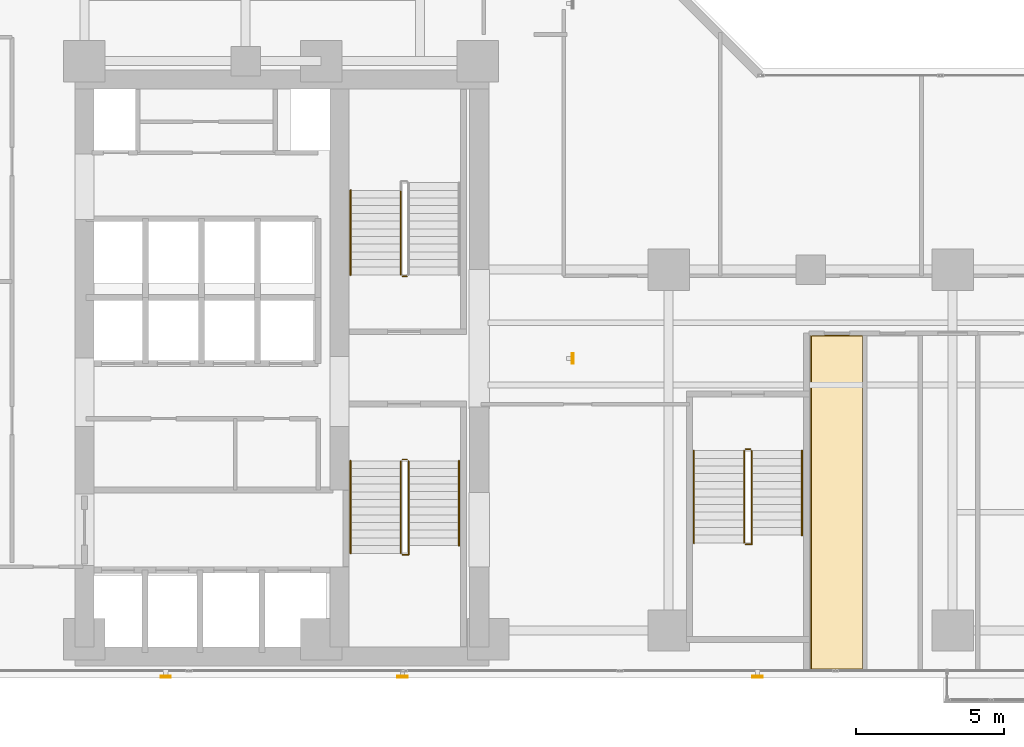
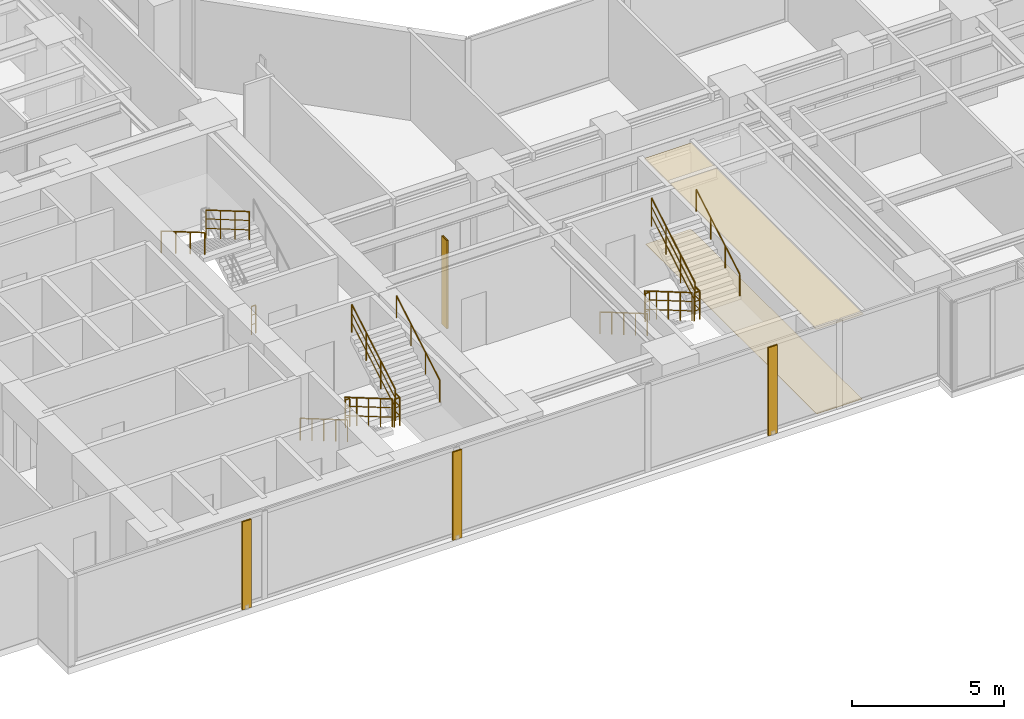
# One storey, part 24 of 27: 15 railings, 4 shading devices, 2 coverings.
"""IFC4 building model written with IfcOpenShell, lengths in metres."""

import ifcopenshell
import ifcopenshell.guid

model = None  # the IFC model being written
_history = None  # IfcOwnerHistory: only IFC2X3 demands one
_inside = {}  # id of a spatial element -> (the spatial element, [elements in it])
_under = {}  # id of a project, library or spatial element -> (it, [spatial elements below it])
_declared = {}  # id of a project -> (the project, [libraries it declares])
_typed = {}  # id of a type object -> (the type object, [elements of that type])
_made_of = {}  # id of a material, layer set ... -> (it, [elements and type objects made of it])


def new_model(schema):
    """Start an empty IFC model of exactly this schema.

    Asked for "IFC4X3", IfcOpenShell would pick the latest addendum, in which some entities
    have other attributes; the version numbers below select the first issue.
    IFC2X3 requires an IfcOwnerHistory on every rooted entity: one is made here for all.
    """
    global model, _history
    if schema == "IFC4X3":
        model = ifcopenshell.file(schema_version=(4, 3, 0, 0))
    else:
        model = ifcopenshell.file(schema=schema)
    _inside.clear()
    _under.clear()
    _declared.clear()
    _typed.clear()
    _made_of.clear()
    _history = None
    if model.schema == "IFC2X3":
        org = make("IfcOrganization", Name="unknown")
        user = make(
            "IfcPersonAndOrganization",
            ThePerson=make("IfcPerson", FamilyName="unknown"),
            TheOrganization=org,
        )
        app = make(
            "IfcApplication",
            ApplicationDeveloper=org,
            Version="unknown",
            ApplicationFullName="unknown",
            ApplicationIdentifier="unknown",
        )
        _history = make(
            "IfcOwnerHistory",
            OwningUser=user,
            OwningApplication=app,
            ChangeAction="ADDED",
            CreationDate=0,
        )
    return model


def make(cls, **values):
    """One entity of the class cls with the attributes given. An attribute that is None is left unset."""
    return model.create_entity(
        cls, **{name: value for name, value in values.items() if value is not None}
    )


def rooted(cls, **values):
    """An entity with a GlobalId (a new one), such as an element, a storey or a relation."""
    return make(cls, GlobalId=ifcopenshell.guid.new(), OwnerHistory=_history, **values)


def si_unit(unit_type, name, prefix=None):
    """IfcSIUnit, for example si_unit("LENGTHUNIT", "METRE", prefix="MILLI")."""
    return make("IfcSIUnit", UnitType=unit_type, Prefix=prefix, Name=name)


def assignment(units):
    """IfcUnitAssignment: the units of a project."""
    return None if units is None else make("IfcUnitAssignment", Units=units)


def point(xyz):
    """IfcCartesianPoint."""
    return None if xyz is None else make("IfcCartesianPoint", Coordinates=xyz)


def direction(xyz):
    """IfcDirection."""
    return None if xyz is None else make("IfcDirection", DirectionRatios=xyz)


def frame(location, z_axis=None, x_axis=None):
    """IfcAxis2Placement3D, a coordinate frame: its origin and axes. An axis left out is left unset."""
    return make(
        "IfcAxis2Placement3D",
        Location=point(location),
        Axis=direction(z_axis),
        RefDirection=direction(x_axis),
    )


def frame_2d(location, x_axis=None):
    """IfcAxis2Placement2D, a coordinate frame in the plane: its origin and x axis."""
    return make(
        "IfcAxis2Placement2D", Location=point(location), RefDirection=direction(x_axis)
    )


def origin():
    """The frame at (0, 0, 0) with its axes left unset."""
    return frame((0.0, 0.0, 0.0))


def origin_2d():
    """The frame at (0, 0) in the plane with its x axis left unset."""
    return frame_2d((0.0, 0.0))


def place(relative_to, where):
    """IfcLocalPlacement: puts the frame where relative to a parent placement (None: the world)."""
    return make(
        "IfcLocalPlacement", PlacementRelTo=relative_to, RelativePlacement=where
    )


def context(
    kind, dimensions, precision=None, world=None, true_north=None, identifier=None
):
    """IfcGeometricRepresentationContext, for example the 3D "Model" context."""
    return make(
        "IfcGeometricRepresentationContext",
        ContextIdentifier=identifier,
        ContextType=kind,
        CoordinateSpaceDimension=dimensions,
        Precision=precision,
        WorldCoordinateSystem=world,
        TrueNorth=true_north,
    )


def subcontext(parent, identifier, kind, view, scale=None):
    """IfcGeometricRepresentationSubContext, for example "Body" below "Model"."""
    return make(
        "IfcGeometricRepresentationSubContext",
        ContextIdentifier=identifier,
        ContextType=kind,
        ParentContext=parent,
        TargetScale=scale,
        TargetView=view,
    )


def project(units=None, contexts=None):
    """IfcProject with its units and contexts."""
    return rooted(
        "IfcProject",
        Name="project",
        RepresentationContexts=contexts,
        UnitsInContext=assignment(units),
    )


def spatial(cls, under=None, at=None, **own):
    """A site, building, storey or space (cls), placed at a placement, below another one or the project."""
    s = rooted(cls, ObjectPlacement=at, **own)
    if under is not None:
        _under.setdefault(under.id(), (under, []))[1].append(s)
    return s


def polyline(points):
    """IfcPolyline through the points."""
    return make("IfcPolyline", Points=[point(p) for p in points])


def profile(cls, at=None, kind="AREA", **sizes):
    """A parametric profile (cls). Its sizes go by their IFC names, for example OverallWidth=200.0."""
    return make(cls, ProfileType=kind, Position=at, **sizes)


def hollow_rectangle(**sizes):
    """IfcRectangleHollowProfileDef."""
    return profile("IfcRectangleHollowProfileDef", **sizes)


def circle(**sizes):
    """IfcCircleProfileDef."""
    return profile("IfcCircleProfileDef", **sizes)


def outline(outer, holes=None, kind="AREA"):
    """IfcArbitraryClosedProfileDef: a profile drawn as a closed curve; with holes, ...WithVoids."""
    if holes is None:
        return make("IfcArbitraryClosedProfileDef", ProfileType=kind, OuterCurve=outer)
    return make(
        "IfcArbitraryProfileDefWithVoids",
        ProfileType=kind,
        OuterCurve=outer,
        InnerCurves=holes,
    )


def extrude(swept, where, along, depth):
    """IfcExtrudedAreaSolid: the profile swept, set in the frame where, extruded along a direction by depth."""
    return make(
        "IfcExtrudedAreaSolid",
        SweptArea=swept,
        Position=where,
        ExtrudedDirection=direction(along),
        Depth=depth,
    )


def shape(context_of_items, identifier, shape_type, items):
    """IfcShapeRepresentation: the items that make up one representation, for example the "Body"."""
    return make(
        "IfcShapeRepresentation",
        ContextOfItems=context_of_items,
        RepresentationIdentifier=identifier,
        RepresentationType=shape_type,
        Items=items,
    )


def material(Name=None, Category=None):
    """IfcMaterial."""
    return make("IfcMaterial", Name=Name, Category=Category)


def layer(
    of_material, thickness, ventilated=None, Name=None, Category=None, Priority=None
):
    """IfcMaterialLayer: one layer of a wall or slab, of a material (None: an air gap)."""
    return make(
        "IfcMaterialLayer",
        Material=of_material,
        LayerThickness=thickness,
        IsVentilated=ventilated,
        Name=Name,
        Category=Category,
        Priority=Priority,
    )


def layer_set(layers, Name=None):
    """IfcMaterialLayerSet."""
    return make("IfcMaterialLayerSet", MaterialLayers=layers, LayerSetName=Name)


def material_profile(
    of_material, cross_section, Name=None, Category=None, Priority=None
):
    """IfcMaterialProfile: a cross section and its material."""
    return make(
        "IfcMaterialProfile",
        Name=Name,
        Material=of_material,
        Profile=cross_section,
        Priority=Priority,
        Category=Category,
    )


def profile_set(profiles, Name=None, composite=None):
    """IfcMaterialProfileSet."""
    return make(
        "IfcMaterialProfileSet",
        Name=Name,
        MaterialProfiles=profiles,
        CompositeProfile=composite,
    )


def made_of(thing, what):
    """Note that an element or type object is made of a material, layer set ...; save() writes the relation."""
    if what is not None:
        _made_of.setdefault(what.id(), (what, []))[1].append(thing)
    return thing


def type_object(cls, material=None, **own):
    """A type object (cls), such as IfcWallType, which elements share."""
    return made_of(rooted(cls, **own), material)


def element(
    cls,
    number,
    at=None,
    inside=None,
    cuts=None,
    type_object=None,
    material=None,
    context=None,
    identifier="Body",
    shape_type=None,
    held_by="IfcProductDefinitionShape",
    body=None,
    shapes=None,
    **own,
):
    """One element of the class cls, such as IfcWall. Its Tag is "e" and its number.

    at: its placement. inside: the storey or other place that contains it. cuts: it is an
    opening in that element (IfcRelVoidsElement). A single representation is given by context,
    identifier, shape_type and body (its items); several are given by shapes. held_by: the class
    of the entity that holds the representations. save() writes the other relations.
    """
    e = rooted(cls, Tag="e%d" % number, ObjectPlacement=at, **own)
    if body is not None:
        shapes = [shape(context, identifier, shape_type, body)]
    if shapes is not None:
        e.Representation = make(held_by, Representations=shapes)
    if inside is not None:
        _inside.setdefault(inside.id(), (inside, []))[1].append(e)
    if cuts is not None:
        rooted(
            "IfcRelVoidsElement", RelatingBuildingElement=cuts, RelatedOpeningElement=e
        )
    if type_object is not None:
        _typed.setdefault(type_object.id(), (type_object, []))[1].append(e)
    return made_of(e, material)


def aggregate(whole, parts):
    """IfcRelAggregates: a whole, such as a stair, and the parts it consists of."""
    return rooted("IfcRelAggregates", RelatingObject=whole, RelatedObjects=parts)


def save(model, path):
    """Write the relations noted so far, then the file.

    IfcRelAggregates (storeys below a building ...), IfcRelContainedInSpatialStructure (elements
    in a storey), IfcRelDefinesByType, IfcRelAssociatesMaterial and IfcRelDeclares: one each for
    every whole, place, type object, material and project.
    """
    for whole, parts in _under.values():
        aggregate(whole, parts)
    for where, things in _inside.values():
        rooted(
            "IfcRelContainedInSpatialStructure",
            RelatedElements=things,
            RelatingStructure=where,
        )
    for kind, things in _typed.values():
        rooted("IfcRelDefinesByType", RelatedObjects=things, RelatingType=kind)
    for what, things in _made_of.values():
        rooted("IfcRelAssociatesMaterial", RelatedObjects=things, RelatingMaterial=what)
    for by, libraries in _declared.values():
        rooted("IfcRelDeclares", RelatingContext=by, RelatedDefinitions=libraries)
    model.write(path)


model = new_model("IFC4")

# Units and contexts
model_context = context("Model", 3, precision=1e-05, world=origin(), true_north=direction((0.0, 1.0)))
body_context = subcontext(model_context, "Body", "Model", "MODEL_VIEW")
ifc_project = project(units=[si_unit("LENGTHUNIT", "METRE"), si_unit("AREAUNIT", "SQUARE_METRE"), si_unit("VOLUMEUNIT", "CUBIC_METRE"), si_unit("PLANEANGLEUNIT", "RADIAN"), si_unit("MASSUNIT", "GRAM", prefix="KILO")], contexts=[model_context])

# Site, building, storey
site_placement = place(None, origin())
site = spatial("IfcSite", under=ifc_project, at=site_placement, CompositionType="ELEMENT")
building_placement = place(site_placement, origin())
building = spatial("IfcBuilding", under=site, at=building_placement, Name="Kolvaren Waterfront Exchange", CompositionType="ELEMENT")
storey_placement = place(building_placement, frame((0.0, 0.0, 118.300048828125)))
storey = spatial("IfcBuildingStorey", under=building, at=storey_placement, Name="L30", CompositionType="ELEMENT", Elevation=118.300048828125)

# Covering
ifc_material_1 = material(Name="Mineral fibre acoustic ceiling tile")
ifc_layer_1 = layer(ifc_material_1, 0.02490234375, Name="Mineral fibre acoustic ceiling tile")
ifc_layer_set_1 = layer_set([ifc_layer_1], Name="Mineral fibre acoustic ceiling tile")
covering_type_1 = type_object("IfcCoveringType", Name="ARC-CEIL-ACOUSTIC-25", PredefinedType="CEILING", material=ifc_layer_set_1)
covering_1_placement = place(storey_placement, frame((0.0, 0.0, 3.425048828125)))
element("IfcCovering", 1, at=covering_1_placement, inside=storey, type_object=covering_type_1, Name="L30 acoustic suspended ceiling 2", PredefinedType="CEILING", context=body_context, shape_type="SweptSolid", body=[
    extrude(outline(polyline([(33.784912109375, 3.864990234375), (33.784912109375, 15.195068359375), (31.9951171875, 15.195068359375), (31.9951171875, 13.35009765625), (32.0, 13.35009765625), (32.0, 4.800048828125), (31.9951171875, 4.800048828125), (31.9951171875, 3.864990234375), (33.784912109375, 3.864990234375)])), origin(), (0.0, 0.0, 1.0), 0.02490234375),
])

# Shading devices
ifc_material_2 = material(Name="Anodised bronze aluminium 6063-T6", Category="aluminium")
ifc_material_profile = material_profile(ifc_material_2, hollow_rectangle(XDim=0.06005859375, YDim=0.35009765625, WallThickness=0.0048828125, at=origin_2d()), Name="BRZ-FIN-350x60x5")
ifc_profile_set = profile_set([ifc_material_profile], Name="Anodised bronze aluminium 6063-T6")
shading_device_type = type_object("IfcShadingDeviceType", Name="ARC-FIN-350", PredefinedType="USERDEFINED", material=ifc_profile_set)
for number, where, z_axis, x_axis, name in (
    (2, (10.199951171875, 3.639892578125, 0.0), (0.0, 0.0, 1.0), (0.0, -1.0, 0.0), "L30 anodised bronze solar shading fin FIN-L30-S1"),
    (3, (18.199951171875, 3.639892578125, 0.0), (0.0, 0.0, 1.0), (0.0, -1.0, 0.0), "L30 anodised bronze solar shading fin FIN-L30-S2"),
    (4, (30.199951171875, 3.639892578125, 0.0), (0.0, 0.0, 1.0), (0.0, -1.0, 0.0), "L30 anodised bronze solar shading fin FIN-L30-S3"),
    (5, (23.9599609375, 14.39990234375, 0.0), (0.0, 0.0, 1.0), (1.0, 0.0, 0.0), "L30 anodised bronze solar shading fin FIN-L30-E1"),
):
    element("IfcShadingDevice", number, at=place(storey_placement, frame(where, z_axis=z_axis, x_axis=x_axis)), inside=storey, type_object=shading_device_type, Name=name, ObjectType="SOLAR FIN", PredefinedType="USERDEFINED", context=body_context, shape_type="SweptSolid", body=[
        extrude(hollow_rectangle(XDim=0.06005859375, YDim=0.35009765625, WallThickness=0.0048828125, at=origin_2d()), origin(), (0.0, 0.0, 1.0), 3.5400390625),
    ])

# Covering
ifc_material_3 = material(Name="Slip-resistant porcelain tile")
ifc_layer_2 = layer(ifc_material_3, 0.014892578125, Name="Slip-resistant porcelain tile")
ifc_layer_set_2 = layer_set([ifc_layer_2], Name="Slip-resistant porcelain tile")
covering_type_2 = type_object("IfcCoveringType", Name="ARC-FLR-PORC-15", PredefinedType="FLOORING", material=ifc_layer_set_2)
covering_2_placement = place(storey_placement, origin())
element("IfcCovering", 6, at=covering_2_placement, inside=storey, type_object=covering_type_2, Name="L30 floor finish 2", PredefinedType="FLOORING", context=body_context, shape_type="SweptSolid", body=[
    extrude(outline(polyline([(32.030029296875, 15.159912109375), (32.030029296875, 3.89990234375), (33.75, 3.89990234375), (33.75, 15.159912109375), (32.030029296875, 15.159912109375)])), origin(), (0.0, 0.0, 1.0), 0.014892578125),
])

# Railings
ifc_material_4 = material(Name="Stainless steel 316", Category="steel")
railing_type_1 = type_object("IfcRailingType", Name="ARC-GUARD-STAIR", PredefinedType="GUARDRAIL", material=ifc_material_4)
railing_1_placement = place(storey_placement, frame((18.14990234375, 10.929931640625, 0.15185546875)))
element("IfcRailing", 7, at=railing_1_placement, inside=storey, type_object=railing_type_1, Name="L30 ST1 stair guard 1", PredefinedType="GUARDRAIL", context=body_context, shape_type="SweptSolid", body=[
    extrude(circle(Radius=0.02392578125, at=origin_2d()), frame((0.0, 0.0, 1.1259765625), z_axis=(0.0, -0.86329090724, 0.504706656858), x_axis=(1.0, 0.0, 0.0)), (0.0, 0.0, 1.0), 3.614013671875),
    extrude(circle(Radius=0.01611328125, at=origin_2d()), frame((0.0, 0.0, 0.390869140625), z_axis=(0.0, -0.86329090724, 0.504706656858), x_axis=(1.0, 0.0, 0.0)), (0.0, 0.0, 1.0), 3.614013671875),
    extrude(circle(Radius=0.01611328125, at=origin_2d()), frame((0.0, 0.0, 0.7705078125), z_axis=(0.0, -0.86329090724, 0.504706656858), x_axis=(1.0, 0.0, 0.0)), (0.0, 0.0, 1.0), 3.614013671875),
    extrude(circle(Radius=0.02099609375, at=origin_2d()), origin(), (0.0, 0.0, 1.0), 1.101806640625),
    extrude(circle(Radius=0.02099609375, at=origin_2d()), frame((0.0, -0.780029296875, 0.4560546875)), (0.0, 0.0, 1.0), 1.101806640625),
    extrude(circle(Radius=0.02099609375, at=origin_2d()), frame((0.0, -1.56005859375, 0.912109375)), (0.0, 0.0, 1.0), 1.101806640625),
    extrude(circle(Radius=0.02099609375, at=origin_2d()), frame((0.0, -2.33984375, 1.367919921875)), (0.0, 0.0, 1.0), 1.101806640625),
    extrude(circle(Radius=0.02099609375, at=origin_2d()), frame((0.0, -3.119873046875, 1.823974609375)), (0.0, 0.0, 1.0), 1.101806640625),
])
railing_2_placement = place(storey_placement, frame((18.199951171875, 7.760009765625, 1.975830078125)))
element("IfcRailing", 8, at=railing_2_placement, inside=storey, type_object=railing_type_1, Name="L30 ST1 stair guard 2", PredefinedType="GUARDRAIL", context=body_context, shape_type="SweptSolid", body=[
    extrude(circle(Radius=0.02392578125, at=origin_2d()), frame((0.0, 0.0, 1.1259765625), z_axis=(1.0, 0.0, 0.0), x_axis=(0.0, 1.0, 0.0)), (0.0, 0.0, 1.0), 0.2099609375),
    extrude(circle(Radius=0.01611328125, at=origin_2d()), frame((0.0, 0.0, 0.390869140625), z_axis=(1.0, 0.0, 0.0), x_axis=(0.0, 1.0, 0.0)), (0.0, 0.0, 1.0), 0.2099609375),
    extrude(circle(Radius=0.01611328125, at=origin_2d()), frame((0.0, 0.0, 0.7705078125), z_axis=(1.0, 0.0, 0.0), x_axis=(0.0, 1.0, 0.0)), (0.0, 0.0, 1.0), 0.2099609375),
    extrude(circle(Radius=0.02392578125, at=origin_2d()), frame((0.2099609375, 0.0, 1.1259765625), z_axis=(0.0, 1.0, 0.0), x_axis=(-1.0, 0.0, 0.0)), (0.0, 0.0, 1.0), 0.31005859375),
    extrude(circle(Radius=0.01611328125, at=origin_2d()), frame((0.2099609375, 0.0, 0.390869140625), z_axis=(0.0, 1.0, 0.0), x_axis=(-1.0, 0.0, 0.0)), (0.0, 0.0, 1.0), 0.31005859375),
    extrude(circle(Radius=0.01611328125, at=origin_2d()), frame((0.2099609375, 0.0, 0.7705078125), z_axis=(0.0, 1.0, 0.0), x_axis=(-1.0, 0.0, 0.0)), (0.0, 0.0, 1.0), 0.31005859375),
    extrude(circle(Radius=0.02099609375, at=origin_2d()), origin(), (0.0, 0.0, 1.0), 1.101806640625),
    extrude(circle(Radius=0.02099609375, at=origin_2d()), frame((0.2099609375, 0.0, 0.0)), (0.0, 0.0, 1.0), 1.101806640625),
    extrude(circle(Radius=0.02099609375, at=origin_2d()), frame((0.2099609375, 0.31005859375, 0.0)), (0.0, 0.0, 1.0), 1.101806640625),
])
railing_3_placement = place(storey_placement, frame((18.409912109375, 8.070068359375, 2.1279296875)))
element("IfcRailing", 9, at=railing_3_placement, inside=storey, type_object=railing_type_1, Name="L30 ST1 stair guard 3", PredefinedType="GUARDRAIL", context=body_context, shape_type="SweptSolid", body=[
    extrude(circle(Radius=0.02392578125, at=origin_2d()), frame((0.0, 0.0, 1.1259765625), z_axis=(0.0, 0.863270611444, 0.50474137082), x_axis=(-1.0, 0.0, 0.0)), (0.0, 0.0, 1.0), 3.312744140625),
    extrude(circle(Radius=0.01611328125, at=origin_2d()), frame((0.0, 0.0, 0.390869140625), z_axis=(0.0, 0.863270611444, 0.50474137082), x_axis=(-1.0, 0.0, 0.0)), (0.0, 0.0, 1.0), 3.312744140625),
    extrude(circle(Radius=0.01611328125, at=origin_2d()), frame((0.0, 0.0, 0.7705078125), z_axis=(0.0, 0.863270611444, 0.50474137082), x_axis=(-1.0, 0.0, 0.0)), (0.0, 0.0, 1.0), 3.312744140625),
    extrude(circle(Radius=0.02099609375, at=origin_2d()), origin(), (0.0, 0.0, 1.0), 1.101806640625),
    extrude(circle(Radius=0.02099609375, at=origin_2d()), frame((0.0, 0.953369140625, 0.557373046875)), (0.0, 0.0, 1.0), 1.101806640625),
    extrude(circle(Radius=0.02099609375, at=origin_2d()), frame((0.0, 1.906494140625, 1.11474609375)), (0.0, 0.0, 1.0), 1.101806640625),
    extrude(circle(Radius=0.02099609375, at=origin_2d()), frame((0.0, 2.85986328125, 1.672119140625)), (0.0, 0.0, 1.0), 1.101806640625),
])
railing_4_placement = place(storey_placement, frame((18.199951171875, 10.97998046875, 0.0)))
element("IfcRailing", 10, at=railing_4_placement, inside=storey, type_object=railing_type_1, Name="L30 ST1 stair guard 4", PredefinedType="GUARDRAIL", context=body_context, shape_type="SweptSolid", body=[
    extrude(circle(Radius=0.02392578125, at=origin_2d()), frame((0.0, 0.0, 1.1259765625), z_axis=(1.0, 0.0, 0.0), x_axis=(0.0, 1.0, 0.0)), (0.0, 0.0, 1.0), 0.16015625),
    extrude(circle(Radius=0.01611328125, at=origin_2d()), frame((0.0, 0.0, 0.390869140625), z_axis=(1.0, 0.0, 0.0), x_axis=(0.0, 1.0, 0.0)), (0.0, 0.0, 1.0), 0.16015625),
    extrude(circle(Radius=0.01611328125, at=origin_2d()), frame((0.0, 0.0, 0.7705078125), z_axis=(1.0, 0.0, 0.0), x_axis=(0.0, 1.0, 0.0)), (0.0, 0.0, 1.0), 0.16015625),
    extrude(circle(Radius=0.02099609375, at=origin_2d()), origin(), (0.0, 0.0, 1.0), 1.101806640625),
    extrude(circle(Radius=0.02099609375, at=origin_2d()), frame((0.16015625, 0.0, 0.0)), (0.0, 0.0, 1.0), 1.101806640625),
])
railing_5_placement = place(storey_placement, frame((18.14990234375, 20.080078125, 2.1279296875)))
element("IfcRailing", 11, at=railing_5_placement, inside=storey, type_object=railing_type_1, Name="L30 ST2 stair guard 3", PredefinedType="GUARDRAIL", context=body_context, shape_type="SweptSolid", body=[
    extrude(circle(Radius=0.02392578125, at=origin_2d()), frame((0.0, 0.0, 1.1259765625), z_axis=(0.0, -0.863289384635, 0.504709261235), x_axis=(1.0, 0.0, 0.0)), (0.0, 0.0, 1.0), 3.31298828125),
    extrude(circle(Radius=0.01611328125, at=origin_2d()), frame((0.0, 0.0, 0.390869140625), z_axis=(0.0, -0.863289384635, 0.504709261235), x_axis=(1.0, 0.0, 0.0)), (0.0, 0.0, 1.0), 3.31298828125),
    extrude(circle(Radius=0.01611328125, at=origin_2d()), frame((0.0, 0.0, 0.7705078125), z_axis=(0.0, -0.863289384635, 0.504709261235), x_axis=(1.0, 0.0, 0.0)), (0.0, 0.0, 1.0), 3.31298828125),
    extrude(circle(Radius=0.02099609375, at=origin_2d()), origin(), (0.0, 0.0, 1.0), 1.101806640625),
    extrude(circle(Radius=0.02099609375, at=origin_2d()), frame((0.0, -0.953369140625, 0.557373046875)), (0.0, 0.0, 1.0), 1.101806640625),
    extrude(circle(Radius=0.02099609375, at=origin_2d()), frame((0.0, -1.90673828125, 1.11474609375)), (0.0, 0.0, 1.0), 1.101806640625),
    extrude(circle(Radius=0.02099609375, at=origin_2d()), frame((0.0, -2.860107421875, 1.672119140625)), (0.0, 0.0, 1.0), 1.101806640625),
])
railing_6_placement = place(storey_placement, frame((18.360107421875, 17.169921875, 0.0)))
element("IfcRailing", 12, at=railing_6_placement, inside=storey, type_object=railing_type_1, Name="L30 ST2 stair guard 4", PredefinedType="GUARDRAIL", context=body_context, shape_type="SweptSolid", body=[
    extrude(circle(Radius=0.02392578125, at=origin_2d()), frame((0.0, 0.0, 1.1259765625), z_axis=(-1.0, 0.0, 0.0), x_axis=(0.0, -1.0, 0.0)), (0.0, 0.0, 1.0), 0.16015625),
    extrude(circle(Radius=0.01611328125, at=origin_2d()), frame((0.0, 0.0, 0.390869140625), z_axis=(-1.0, 0.0, 0.0), x_axis=(0.0, -1.0, 0.0)), (0.0, 0.0, 1.0), 0.16015625),
    extrude(circle(Radius=0.01611328125, at=origin_2d()), frame((0.0, 0.0, 0.7705078125), z_axis=(-1.0, 0.0, 0.0), x_axis=(0.0, -1.0, 0.0)), (0.0, 0.0, 1.0), 0.16015625),
    extrude(circle(Radius=0.02099609375, at=origin_2d()), origin(), (0.0, 0.0, 1.0), 1.101806640625),
    extrude(circle(Radius=0.02099609375, at=origin_2d()), frame((-0.16015625, 0.0, 0.0)), (0.0, 0.0, 1.0), 1.101806640625),
])
railing_7_placement = place(storey_placement, frame((29.75, 11.280029296875, 0.15185546875)))
element("IfcRailing", 13, at=railing_7_placement, inside=storey, type_object=railing_type_1, Name="L30 ST3 stair guard 1", PredefinedType="GUARDRAIL", context=body_context, shape_type="SweptSolid", body=[
    extrude(circle(Radius=0.02392578125, at=origin_2d()), frame((0.0, 0.0, 1.1259765625), z_axis=(0.0, -0.86330811405, 0.504677223793), x_axis=(1.0, 0.0, 0.0)), (0.0, 0.0, 1.0), 3.6142578125),
    extrude(circle(Radius=0.01611328125, at=origin_2d()), frame((0.0, 0.0, 0.390869140625), z_axis=(0.0, -0.86330811405, 0.504677223793), x_axis=(1.0, 0.0, 0.0)), (0.0, 0.0, 1.0), 3.6142578125),
    extrude(circle(Radius=0.01611328125, at=origin_2d()), frame((0.0, 0.0, 0.7705078125), z_axis=(0.0, -0.86330811405, 0.504677223793), x_axis=(1.0, 0.0, 0.0)), (0.0, 0.0, 1.0), 3.6142578125),
    extrude(circle(Radius=0.02099609375, at=origin_2d()), origin(), (0.0, 0.0, 1.0), 1.101806640625),
    extrude(circle(Radius=0.02099609375, at=origin_2d()), frame((0.0, -0.780029296875, 0.4560546875)), (0.0, 0.0, 1.0), 1.101806640625),
    extrude(circle(Radius=0.02099609375, at=origin_2d()), frame((0.0, -1.56005859375, 0.912109375)), (0.0, 0.0, 1.0), 1.101806640625),
    extrude(circle(Radius=0.02099609375, at=origin_2d()), frame((0.0, -2.340087890625, 1.367919921875)), (0.0, 0.0, 1.0), 1.101806640625),
    extrude(circle(Radius=0.02099609375, at=origin_2d()), frame((0.0, -3.1201171875, 1.823974609375)), (0.0, 0.0, 1.0), 1.101806640625),
])
railing_8_placement = place(storey_placement, frame((29.800048828125, 8.110107421875, 1.975830078125)))
element("IfcRailing", 14, at=railing_8_placement, inside=storey, type_object=railing_type_1, Name="L30 ST3 stair guard 2", PredefinedType="GUARDRAIL", context=body_context, shape_type="SweptSolid", body=[
    extrude(circle(Radius=0.02392578125, at=origin_2d()), frame((0.0, 0.0, 1.1259765625), z_axis=(1.0, 0.0, 0.0), x_axis=(0.0, 1.0, 0.0)), (0.0, 0.0, 1.0), 0.2099609375),
    extrude(circle(Radius=0.01611328125, at=origin_2d()), frame((0.0, 0.0, 0.390869140625), z_axis=(1.0, 0.0, 0.0), x_axis=(0.0, 1.0, 0.0)), (0.0, 0.0, 1.0), 0.2099609375),
    extrude(circle(Radius=0.01611328125, at=origin_2d()), frame((0.0, 0.0, 0.7705078125), z_axis=(1.0, 0.0, 0.0), x_axis=(0.0, 1.0, 0.0)), (0.0, 0.0, 1.0), 0.2099609375),
    extrude(circle(Radius=0.02392578125, at=origin_2d()), frame((0.2099609375, 0.0, 1.1259765625), z_axis=(0.0, 1.0, 0.0), x_axis=(-1.0, 0.0, 0.0)), (0.0, 0.0, 1.0), 0.309814453125),
    extrude(circle(Radius=0.01611328125, at=origin_2d()), frame((0.2099609375, 0.0, 0.390869140625), z_axis=(0.0, 1.0, 0.0), x_axis=(-1.0, 0.0, 0.0)), (0.0, 0.0, 1.0), 0.309814453125),
    extrude(circle(Radius=0.01611328125, at=origin_2d()), frame((0.2099609375, 0.0, 0.7705078125), z_axis=(0.0, 1.0, 0.0), x_axis=(-1.0, 0.0, 0.0)), (0.0, 0.0, 1.0), 0.309814453125),
    extrude(circle(Radius=0.02099609375, at=origin_2d()), origin(), (0.0, 0.0, 1.0), 1.101806640625),
    extrude(circle(Radius=0.02099609375, at=origin_2d()), frame((0.2099609375, 0.0, 0.0)), (0.0, 0.0, 1.0), 1.101806640625),
    extrude(circle(Radius=0.02099609375, at=origin_2d()), frame((0.2099609375, 0.309814453125, 0.0)), (0.0, 0.0, 1.0), 1.101806640625),
])
railing_9_placement = place(storey_placement, frame((30.010009765625, 8.419921875, 2.1279296875)))
element("IfcRailing", 15, at=railing_9_placement, inside=storey, type_object=railing_type_1, Name="L30 ST3 stair guard 3", PredefinedType="GUARDRAIL", context=body_context, shape_type="SweptSolid", body=[
    extrude(circle(Radius=0.02392578125, at=origin_2d()), frame((0.0, 0.0, 1.1259765625), z_axis=(0.0, 0.863289384635, 0.504709261235), x_axis=(-1.0, 0.0, 0.0)), (0.0, 0.0, 1.0), 3.31298828125),
    extrude(circle(Radius=0.01611328125, at=origin_2d()), frame((0.0, 0.0, 0.390869140625), z_axis=(0.0, 0.863289384635, 0.504709261235), x_axis=(-1.0, 0.0, 0.0)), (0.0, 0.0, 1.0), 3.31298828125),
    extrude(circle(Radius=0.01611328125, at=origin_2d()), frame((0.0, 0.0, 0.7705078125), z_axis=(0.0, 0.863289384635, 0.504709261235), x_axis=(-1.0, 0.0, 0.0)), (0.0, 0.0, 1.0), 3.31298828125),
    extrude(circle(Radius=0.02099609375, at=origin_2d()), origin(), (0.0, 0.0, 1.0), 1.101806640625),
    extrude(circle(Radius=0.02099609375, at=origin_2d()), frame((0.0, 0.953369140625, 0.557373046875)), (0.0, 0.0, 1.0), 1.101806640625),
    extrude(circle(Radius=0.02099609375, at=origin_2d()), frame((0.0, 1.90673828125, 1.11474609375)), (0.0, 0.0, 1.0), 1.101806640625),
    extrude(circle(Radius=0.02099609375, at=origin_2d()), frame((0.0, 2.860107421875, 1.672119140625)), (0.0, 0.0, 1.0), 1.101806640625),
])
railing_10_placement = place(storey_placement, frame((29.800048828125, 11.330078125, 0.0)))
element("IfcRailing", 16, at=railing_10_placement, inside=storey, type_object=railing_type_1, Name="L30 ST3 stair guard 4", PredefinedType="GUARDRAIL", context=body_context, shape_type="SweptSolid", body=[
    extrude(circle(Radius=0.02392578125, at=origin_2d()), frame((0.0, 0.0, 1.1259765625), z_axis=(1.0, 0.0, 0.0), x_axis=(0.0, 1.0, 0.0)), (0.0, 0.0, 1.0), 0.159912109375),
    extrude(circle(Radius=0.01611328125, at=origin_2d()), frame((0.0, 0.0, 0.390869140625), z_axis=(1.0, 0.0, 0.0), x_axis=(0.0, 1.0, 0.0)), (0.0, 0.0, 1.0), 0.159912109375),
    extrude(circle(Radius=0.01611328125, at=origin_2d()), frame((0.0, 0.0, 0.7705078125), z_axis=(1.0, 0.0, 0.0), x_axis=(0.0, 1.0, 0.0)), (0.0, 0.0, 1.0), 0.159912109375),
    extrude(circle(Radius=0.02099609375, at=origin_2d()), origin(), (0.0, 0.0, 1.0), 1.101806640625),
    extrude(circle(Radius=0.02099609375, at=origin_2d()), frame((0.159912109375, 0.0, 0.0)), (0.0, 0.0, 1.0), 1.101806640625),
])
railing_type_2 = type_object("IfcRailingType", Name="ARC-HANDRAIL-900", PredefinedType="HANDRAIL", material=ifc_material_4)
railing_11_placement = place(storey_placement, frame((16.449951171875, 10.929931640625, 0.15185546875)))
element("IfcRailing", 17, at=railing_11_placement, inside=storey, type_object=railing_type_2, Name="L30 ST1 stair handrail 1", PredefinedType="HANDRAIL", context=body_context, shape_type="SweptSolid", body=[
    extrude(circle(Radius=0.02392578125, at=origin_2d()), frame((0.0, 0.0, 0.8759765625), z_axis=(0.0, -0.86329090724, 0.504706656858), x_axis=(1.0, 0.0, 0.0)), (0.0, 0.0, 1.0), 3.614013671875),
    extrude(circle(Radius=0.02099609375, at=origin_2d()), origin(), (0.0, 0.0, 1.0), 0.851806640625),
    extrude(circle(Radius=0.02099609375, at=origin_2d()), frame((0.0, -0.780029296875, 0.4560546875)), (0.0, 0.0, 1.0), 0.851806640625),
    extrude(circle(Radius=0.02099609375, at=origin_2d()), frame((0.0, -1.56005859375, 0.912109375)), (0.0, 0.0, 1.0), 0.851806640625),
    extrude(circle(Radius=0.02099609375, at=origin_2d()), frame((0.0, -2.33984375, 1.367919921875)), (0.0, 0.0, 1.0), 0.851806640625),
    extrude(circle(Radius=0.02099609375, at=origin_2d()), frame((0.0, -3.119873046875, 1.823974609375)), (0.0, 0.0, 1.0), 0.851806640625),
])
railing_12_placement = place(storey_placement, frame((20.110107421875, 8.070068359375, 2.1279296875)))
element("IfcRailing", 18, at=railing_12_placement, inside=storey, type_object=railing_type_2, Name="L30 ST1 stair handrail 2", PredefinedType="HANDRAIL", context=body_context, shape_type="SweptSolid", body=[
    extrude(circle(Radius=0.02392578125, at=origin_2d()), frame((0.0, 0.0, 0.8759765625), z_axis=(0.0, 0.863270611444, 0.50474137082), x_axis=(-1.0, 0.0, 0.0)), (0.0, 0.0, 1.0), 3.312744140625),
    extrude(circle(Radius=0.02099609375, at=origin_2d()), origin(), (0.0, 0.0, 1.0), 0.851806640625),
    extrude(circle(Radius=0.02099609375, at=origin_2d()), frame((0.0, 0.953369140625, 0.557373046875)), (0.0, 0.0, 1.0), 0.851806640625),
    extrude(circle(Radius=0.02099609375, at=origin_2d()), frame((0.0, 1.906494140625, 1.11474609375)), (0.0, 0.0, 1.0), 0.851806640625),
    extrude(circle(Radius=0.02099609375, at=origin_2d()), frame((0.0, 2.85986328125, 1.672119140625)), (0.0, 0.0, 1.0), 0.851806640625),
])
railing_13_placement = place(storey_placement, frame((16.449951171875, 20.080078125, 2.1279296875)))
element("IfcRailing", 19, at=railing_13_placement, inside=storey, type_object=railing_type_2, Name="L30 ST2 stair handrail 2", PredefinedType="HANDRAIL", context=body_context, shape_type="SweptSolid", body=[
    extrude(circle(Radius=0.02392578125, at=origin_2d()), frame((0.0, 0.0, 0.8759765625), z_axis=(0.0, -0.863289384635, 0.504709261235), x_axis=(1.0, 0.0, 0.0)), (0.0, 0.0, 1.0), 3.31298828125),
    extrude(circle(Radius=0.02099609375, at=origin_2d()), origin(), (0.0, 0.0, 1.0), 0.851806640625),
    extrude(circle(Radius=0.02099609375, at=origin_2d()), frame((0.0, -0.953369140625, 0.557373046875)), (0.0, 0.0, 1.0), 0.851806640625),
    extrude(circle(Radius=0.02099609375, at=origin_2d()), frame((0.0, -1.90673828125, 1.11474609375)), (0.0, 0.0, 1.0), 0.851806640625),
    extrude(circle(Radius=0.02099609375, at=origin_2d()), frame((0.0, -2.860107421875, 1.672119140625)), (0.0, 0.0, 1.0), 0.851806640625),
])
railing_14_placement = place(storey_placement, frame((28.050048828125, 11.280029296875, 0.15185546875)))
element("IfcRailing", 20, at=railing_14_placement, inside=storey, type_object=railing_type_2, Name="L30 ST3 stair handrail 1", PredefinedType="HANDRAIL", context=body_context, shape_type="SweptSolid", body=[
    extrude(circle(Radius=0.02392578125, at=origin_2d()), frame((0.0, 0.0, 0.8759765625), z_axis=(0.0, -0.86330811405, 0.504677223793), x_axis=(1.0, 0.0, 0.0)), (0.0, 0.0, 1.0), 3.6142578125),
    extrude(circle(Radius=0.02099609375, at=origin_2d()), origin(), (0.0, 0.0, 1.0), 0.851806640625),
    extrude(circle(Radius=0.02099609375, at=origin_2d()), frame((0.0, -0.780029296875, 0.4560546875)), (0.0, 0.0, 1.0), 0.851806640625),
    extrude(circle(Radius=0.02099609375, at=origin_2d()), frame((0.0, -1.56005859375, 0.912109375)), (0.0, 0.0, 1.0), 0.851806640625),
    extrude(circle(Radius=0.02099609375, at=origin_2d()), frame((0.0, -2.340087890625, 1.367919921875)), (0.0, 0.0, 1.0), 0.851806640625),
    extrude(circle(Radius=0.02099609375, at=origin_2d()), frame((0.0, -3.1201171875, 1.823974609375)), (0.0, 0.0, 1.0), 0.851806640625),
])
railing_15_placement = place(storey_placement, frame((31.7099609375, 8.419921875, 2.1279296875)))
element("IfcRailing", 21, at=railing_15_placement, inside=storey, type_object=railing_type_2, Name="L30 ST3 stair handrail 2", PredefinedType="HANDRAIL", context=body_context, shape_type="SweptSolid", body=[
    extrude(circle(Radius=0.02392578125, at=origin_2d()), frame((0.0, 0.0, 0.8759765625), z_axis=(0.0, 0.863289384635, 0.504709261235), x_axis=(-1.0, 0.0, 0.0)), (0.0, 0.0, 1.0), 3.31298828125),
    extrude(circle(Radius=0.02099609375, at=origin_2d()), origin(), (0.0, 0.0, 1.0), 0.851806640625),
    extrude(circle(Radius=0.02099609375, at=origin_2d()), frame((0.0, 0.953369140625, 0.557373046875)), (0.0, 0.0, 1.0), 0.851806640625),
    extrude(circle(Radius=0.02099609375, at=origin_2d()), frame((0.0, 1.90673828125, 1.11474609375)), (0.0, 0.0, 1.0), 0.851806640625),
    extrude(circle(Radius=0.02099609375, at=origin_2d()), frame((0.0, 2.860107421875, 1.672119140625)), (0.0, 0.0, 1.0), 0.851806640625),
])

save(model, "model.ifc")
